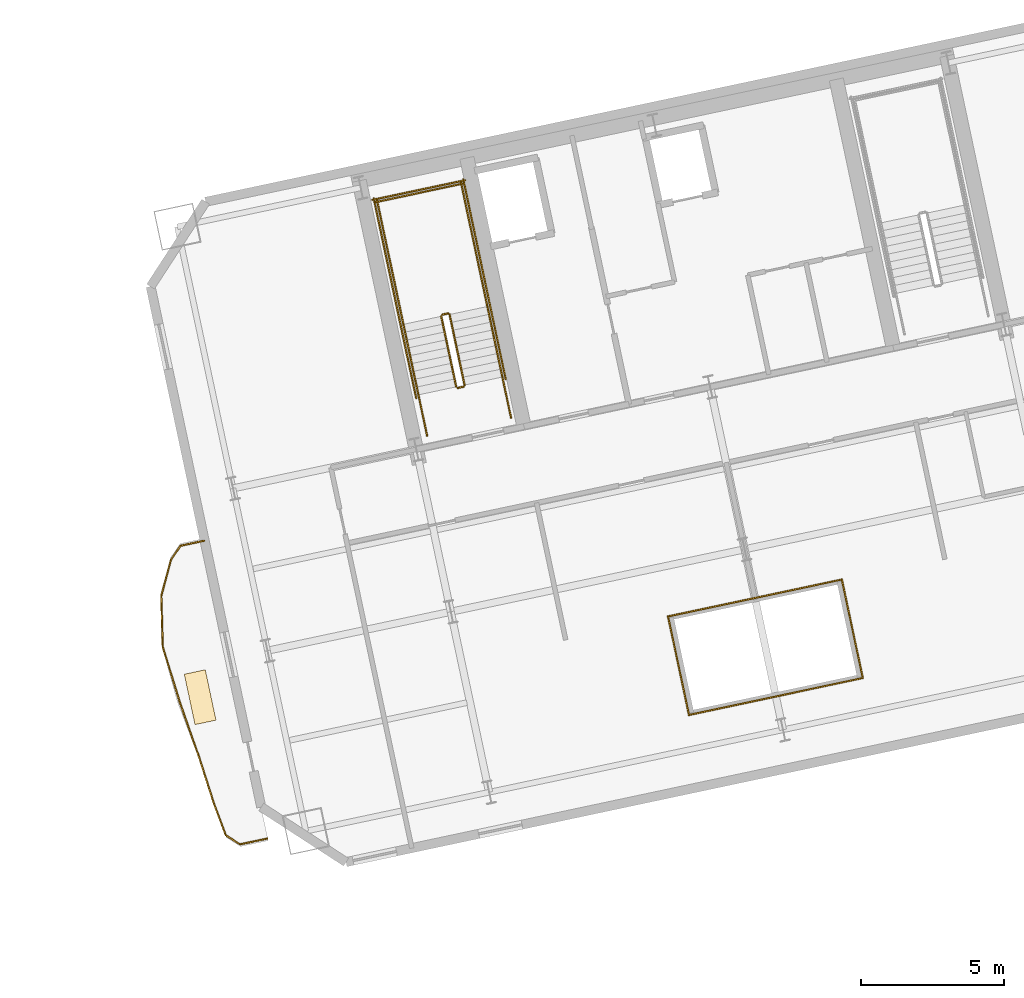
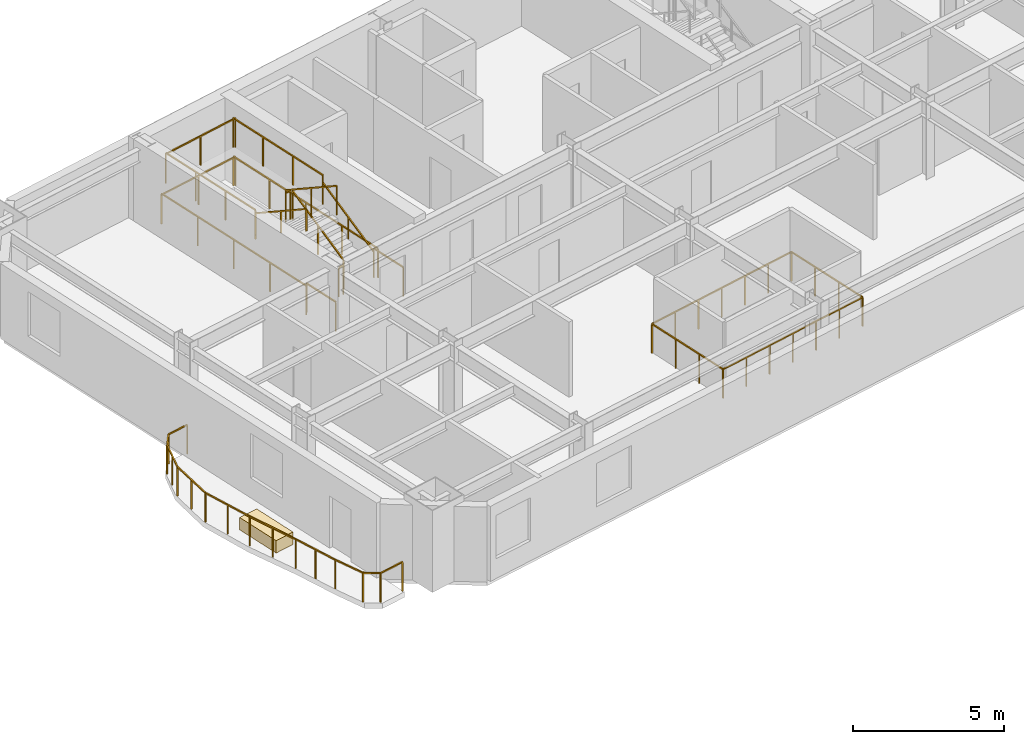
# One storey, part 12 of 13: 28 railings, 1 covering.
"""IFC4 building model written with IfcOpenShell, lengths in metres."""

from ifc_helpers import new_model, si_unit, direction, frame, origin, origin_2d, place, context, subcontext, project, spatial, rectangle, extrude, material, layer, layer_set, type_object, element, save


model = new_model("IFC4")

# Units and contexts
model_context = context("Model", 3, precision=1e-05, world=origin(), true_north=direction((0.0, 1.0)))
body_context = subcontext(model_context, "Body", "Model", "MODEL_VIEW")
ifc_project = project(units=[si_unit("LENGTHUNIT", "METRE"), si_unit("AREAUNIT", "SQUARE_METRE"), si_unit("VOLUMEUNIT", "CUBIC_METRE"), si_unit("PLANEANGLEUNIT", "RADIAN"), si_unit("MASSUNIT", "GRAM", prefix="KILO")], contexts=[model_context])

# Site, building, storey
site_placement = place(None, origin())
site = spatial("IfcSite", under=ifc_project, at=site_placement, CompositionType="ELEMENT")
building_placement = place(site_placement, origin())
building = spatial("IfcBuilding", under=site, at=building_placement, Name="Haevon Station Towers", CompositionType="ELEMENT")
storey_placement = place(building_placement, frame((0.0, 0.0, 126.300048828125)))
storey = spatial("IfcBuildingStorey", under=building, at=storey_placement, Name="L34", CompositionType="ELEMENT", Elevation=126.300048828125)

# Railings
ifc_material_1 = material(Name="Steel S355", Category="steel")
railing_type_1 = type_object("IfcRailingType", Name="BAL-ATR1200", PredefinedType="BALUSTRADE", material=ifc_material_1)
railing_1_placement = place(storey_placement, frame((108.28564453125, 28.16259765625, 0.0)))
element("IfcRailing", 1, at=railing_1_placement, inside=storey, type_object=railing_type_1, Name="L34 Atrium Void Balustrade 1", PredefinedType="BALUSTRADE", context=body_context, shape_type="SweptSolid", body=[
    extrude(rectangle(XDim=0.048095703125, YDim=0.048095703125, at=origin_2d()), frame((0.0, 0.0, 1.17578125), z_axis=(0.978152054879, 0.207890734609, 0.0), x_axis=(-0.207890734609, 0.978152054879, 0.0)), (0.0, 0.0, 1.0), 6.208984375),
    extrude(rectangle(XDim=0.0419921875, YDim=0.0419921875, at=origin_2d()), origin(), (0.0, 0.0, 1.0), 1.15185546875),
    extrude(rectangle(XDim=0.0419921875, YDim=0.0419921875, at=origin_2d()), frame((1.01220703125, 0.215087890625, 0.0)), (0.0, 0.0, 1.0), 1.15185546875),
    extrude(rectangle(XDim=0.0419921875, YDim=0.0419921875, at=origin_2d()), frame((2.0244140625, 0.43017578125, 0.0)), (0.0, 0.0, 1.0), 1.15185546875),
    extrude(rectangle(XDim=0.0419921875, YDim=0.0419921875, at=origin_2d()), frame((3.03662109375, 0.6455078125, 0.0)), (0.0, 0.0, 1.0), 1.15185546875),
    extrude(rectangle(XDim=0.0419921875, YDim=0.0419921875, at=origin_2d()), frame((4.048828125, 0.860595703125, 0.0)), (0.0, 0.0, 1.0), 1.15185546875),
    extrude(rectangle(XDim=0.0419921875, YDim=0.0419921875, at=origin_2d()), frame((5.06103515625, 1.07568359375, 0.0)), (0.0, 0.0, 1.0), 1.15185546875),
    extrude(rectangle(XDim=0.0419921875, YDim=0.0419921875, at=origin_2d()), frame((6.0732421875, 1.290771484375, 0.0)), (0.0, 0.0, 1.0), 1.15185546875),
])
railing_2_placement = place(storey_placement, frame((114.35888671875, 29.453369140625, 0.0)))
element("IfcRailing", 2, at=railing_2_placement, inside=storey, type_object=railing_type_1, Name="L34 Atrium Void Balustrade 2", PredefinedType="BALUSTRADE", context=body_context, shape_type="SweptSolid", body=[
    extrude(rectangle(XDim=0.048095703125, YDim=0.048095703125, at=origin_2d()), frame((0.0, 0.0, 1.17578125), z_axis=(-0.207964983384, 0.978136271532, 0.0), x_axis=(-0.978136271532, -0.207964983384, 0.0)), (0.0, 0.0, 1.0), 3.518310546875),
    extrude(rectangle(XDim=0.0419921875, YDim=0.0419921875, at=origin_2d()), origin(), (0.0, 0.0, 1.0), 1.15185546875),
    extrude(rectangle(XDim=0.0419921875, YDim=0.0419921875, at=origin_2d()), frame((-0.243896484375, 1.147216796875, 0.0)), (0.0, 0.0, 1.0), 1.15185546875),
    extrude(rectangle(XDim=0.0419921875, YDim=0.0419921875, at=origin_2d()), frame((-0.48779296875, 2.294189453125, 0.0)), (0.0, 0.0, 1.0), 1.15185546875),
    extrude(rectangle(XDim=0.0419921875, YDim=0.0419921875, at=origin_2d()), frame((-0.731689453125, 3.44140625, 0.0)), (0.0, 0.0, 1.0), 1.15185546875),
])
railing_3_placement = place(storey_placement, frame((113.627197265625, 32.894775390625, 0.0)))
element("IfcRailing", 3, at=railing_3_placement, inside=storey, type_object=railing_type_1, Name="L34 Atrium Void Balustrade 3", PredefinedType="BALUSTRADE", context=body_context, shape_type="SweptSolid", body=[
    extrude(rectangle(XDim=0.048095703125, YDim=0.048095703125, at=origin_2d()), frame((0.0, 0.0, 1.17578125), z_axis=(-0.978150355379, -0.20789873081, 0.0), x_axis=(0.20789873081, -0.978150355379, 0.0)), (0.0, 0.0, 1.0), 6.208740234375),
    extrude(rectangle(XDim=0.0419921875, YDim=0.0419921875, at=origin_2d()), origin(), (0.0, 0.0, 1.0), 1.15185546875),
    extrude(rectangle(XDim=0.0419921875, YDim=0.0419921875, at=origin_2d()), frame((-1.01220703125, -0.215087890625, 0.0)), (0.0, 0.0, 1.0), 1.15185546875),
    extrude(rectangle(XDim=0.0419921875, YDim=0.0419921875, at=origin_2d()), frame((-2.0244140625, -0.43017578125, 0.0)), (0.0, 0.0, 1.0), 1.15185546875),
    extrude(rectangle(XDim=0.0419921875, YDim=0.0419921875, at=origin_2d()), frame((-3.03662109375, -0.6455078125, 0.0)), (0.0, 0.0, 1.0), 1.15185546875),
    extrude(rectangle(XDim=0.0419921875, YDim=0.0419921875, at=origin_2d()), frame((-4.048583984375, -0.860595703125, 0.0)), (0.0, 0.0, 1.0), 1.15185546875),
    extrude(rectangle(XDim=0.0419921875, YDim=0.0419921875, at=origin_2d()), frame((-5.060791015625, -1.07568359375, 0.0)), (0.0, 0.0, 1.0), 1.15185546875),
    extrude(rectangle(XDim=0.0419921875, YDim=0.0419921875, at=origin_2d()), frame((-6.072998046875, -1.290771484375, 0.0)), (0.0, 0.0, 1.0), 1.15185546875),
])
railing_4_placement = place(storey_placement, frame((107.55419921875, 31.60400390625, 0.0)))
element("IfcRailing", 4, at=railing_4_placement, inside=storey, type_object=railing_type_1, Name="L34 Atrium Void Balustrade 4", PredefinedType="BALUSTRADE", context=body_context, shape_type="SweptSolid", body=[
    extrude(rectangle(XDim=0.048095703125, YDim=0.048095703125, at=origin_2d()), frame((0.0, 0.0, 1.17578125), z_axis=(0.207898592019, -0.978150384878, 0.0), x_axis=(0.978150384878, 0.207898592019, 0.0)), (0.0, 0.0, 1.0), 3.518310546875),
    extrude(rectangle(XDim=0.0419921875, YDim=0.0419921875, at=origin_2d()), origin(), (0.0, 0.0, 1.0), 1.15185546875),
    extrude(rectangle(XDim=0.0419921875, YDim=0.0419921875, at=origin_2d()), frame((0.243896484375, -1.147216796875, 0.0)), (0.0, 0.0, 1.0), 1.15185546875),
    extrude(rectangle(XDim=0.0419921875, YDim=0.0419921875, at=origin_2d()), frame((0.487548828125, -2.294189453125, 0.0)), (0.0, 0.0, 1.0), 1.15185546875),
    extrude(rectangle(XDim=0.0419921875, YDim=0.0419921875, at=origin_2d()), frame((0.7314453125, -3.44140625, 0.0)), (0.0, 0.0, 1.0), 1.15185546875),
])
railing_type_2 = type_object("IfcRailingType", Name="GRD-EXT1200", PredefinedType="GUARDRAIL", material=ifc_material_1)
railing_5_placement = place(storey_placement, frame((91.330078125, 34.251708984375, 0.0)))
element("IfcRailing", 5, at=railing_5_placement, inside=storey, type_object=railing_type_2, Name="L34 Perimeter Guardrail 1", PredefinedType="GUARDRAIL", context=body_context, shape_type="SweptSolid", body=[
    extrude(rectangle(XDim=0.048095703125, YDim=0.048095703125, at=origin_2d()), frame((0.0, 0.0, 1.17578125), z_axis=(-0.977691431104, -0.210046341426, 0.0), x_axis=(0.210046341426, -0.977691431104, 0.0)), (0.0, 0.0, 1.0), 0.838134765625),
    extrude(rectangle(XDim=0.0419921875, YDim=0.0419921875, at=origin_2d()), origin(), (0.0, 0.0, 1.0), 1.15185546875),
    extrude(rectangle(XDim=0.0419921875, YDim=0.0419921875, at=origin_2d()), frame((-0.8193359375, -0.176025390625, 0.0)), (0.0, 0.0, 1.0), 1.15185546875),
])
railing_6_placement = place(storey_placement, frame((90.5107421875, 34.07568359375, 0.0)))
element("IfcRailing", 6, at=railing_6_placement, inside=storey, type_object=railing_type_2, Name="L34 Perimeter Guardrail 2", PredefinedType="GUARDRAIL", context=body_context, shape_type="SweptSolid", body=[
    extrude(rectangle(XDim=0.048095703125, YDim=0.048095703125, at=origin_2d()), frame((0.0, 0.0, 1.17578125), z_axis=(-0.562163997885, -0.827025779212, 0.0), x_axis=(0.827025779212, -0.562163997885, 0.0)), (0.0, 0.0, 1.0), 0.594482421875),
    extrude(rectangle(XDim=0.0419921875, YDim=0.0419921875, at=origin_2d()), origin(), (0.0, 0.0, 1.0), 1.15185546875),
    extrude(rectangle(XDim=0.0419921875, YDim=0.0419921875, at=origin_2d()), frame((-0.334228515625, -0.49169921875, 0.0)), (0.0, 0.0, 1.0), 1.15185546875),
])
railing_7_placement = place(storey_placement, frame((90.176513671875, 33.583984375, 0.0)))
element("IfcRailing", 7, at=railing_7_placement, inside=storey, type_object=railing_type_2, Name="L34 Perimeter Guardrail 3", PredefinedType="GUARDRAIL", context=body_context, shape_type="SweptSolid", body=[
    extrude(rectangle(XDim=0.048095703125, YDim=0.048095703125, at=origin_2d()), frame((0.0, 0.0, 1.17578125), z_axis=(-0.257569982747, -0.966259646259, 0.0), x_axis=(0.966259646259, -0.257569982747, 0.0)), (0.0, 0.0, 1.0), 1.311767578125),
    extrude(rectangle(XDim=0.0419921875, YDim=0.0419921875, at=origin_2d()), origin(), (0.0, 0.0, 1.0), 1.15185546875),
    extrude(rectangle(XDim=0.0419921875, YDim=0.0419921875, at=origin_2d()), frame((-0.1689453125, -0.6337890625, 0.0)), (0.0, 0.0, 1.0), 1.15185546875),
    extrude(rectangle(XDim=0.0419921875, YDim=0.0419921875, at=origin_2d()), frame((-0.337890625, -1.267578125, 0.0)), (0.0, 0.0, 1.0), 1.15185546875),
])
railing_8_placement = place(storey_placement, frame((89.838623046875, 32.31640625, 0.0)))
element("IfcRailing", 8, at=railing_8_placement, inside=storey, type_object=railing_type_2, Name="L34 Perimeter Guardrail 4", PredefinedType="GUARDRAIL", context=body_context, shape_type="SweptSolid", body=[
    extrude(rectangle(XDim=0.048095703125, YDim=0.048095703125, at=origin_2d()), frame((0.0, 0.0, 1.17578125), z_axis=(0.029031117034, -0.999578508294, 0.0), x_axis=(0.999578508294, 0.029031117034, 0.0)), (0.0, 0.0, 1.0), 1.7744140625),
    extrude(rectangle(XDim=0.0419921875, YDim=0.0419921875, at=origin_2d()), origin(), (0.0, 0.0, 1.0), 1.15185546875),
    extrude(rectangle(XDim=0.0419921875, YDim=0.0419921875, at=origin_2d()), frame((0.02587890625, -0.88671875, 0.0)), (0.0, 0.0, 1.0), 1.15185546875),
    extrude(rectangle(XDim=0.0419921875, YDim=0.0419921875, at=origin_2d()), frame((0.051513671875, -1.773681640625, 0.0)), (0.0, 0.0, 1.0), 1.15185546875),
])
railing_9_placement = place(storey_placement, frame((89.89013671875, 30.542724609375, 0.0)))
element("IfcRailing", 9, at=railing_9_placement, inside=storey, type_object=railing_type_2, Name="L34 Perimeter Guardrail 5", PredefinedType="GUARDRAIL", context=body_context, shape_type="SweptSolid", body=[
    extrude(rectangle(XDim=0.048095703125, YDim=0.048095703125, at=origin_2d()), frame((0.0, 0.0, 1.17578125), z_axis=(0.294077277739, -0.955781645941, 0.0), x_axis=(0.955781645941, 0.294077277739, 0.0)), (0.0, 0.0, 1.0), 2.001708984375),
    extrude(rectangle(XDim=0.0419921875, YDim=0.0419921875, at=origin_2d()), origin(), (0.0, 0.0, 1.0), 1.15185546875),
    extrude(rectangle(XDim=0.0419921875, YDim=0.0419921875, at=origin_2d()), frame((0.29443359375, -0.95654296875, 0.0)), (0.0, 0.0, 1.0), 1.15185546875),
    extrude(rectangle(XDim=0.0419921875, YDim=0.0419921875, at=origin_2d()), frame((0.588623046875, -1.9130859375, 0.0)), (0.0, 0.0, 1.0), 1.15185546875),
])
railing_10_placement = place(storey_placement, frame((90.478759765625, 28.629638671875, 0.0)))
element("IfcRailing", 10, at=railing_10_placement, inside=storey, type_object=railing_type_2, Name="L34 Perimeter Guardrail 6", PredefinedType="GUARDRAIL", context=body_context, shape_type="SweptSolid", body=[
    extrude(rectangle(XDim=0.048095703125, YDim=0.048095703125, at=origin_2d()), frame((0.0, 0.0, 1.17578125), z_axis=(0.330946961532, -0.943649356834, 0.0), x_axis=(0.943649356834, 0.330946961532, 0.0)), (0.0, 0.0, 1.0), 2.005126953125),
    extrude(rectangle(XDim=0.0419921875, YDim=0.0419921875, at=origin_2d()), origin(), (0.0, 0.0, 1.0), 1.15185546875),
    extrude(rectangle(XDim=0.0419921875, YDim=0.0419921875, at=origin_2d()), frame((0.331787109375, -0.946044921875, 0.0)), (0.0, 0.0, 1.0), 1.15185546875),
    extrude(rectangle(XDim=0.0419921875, YDim=0.0419921875, at=origin_2d()), frame((0.66357421875, -1.89208984375, 0.0)), (0.0, 0.0, 1.0), 1.15185546875),
])
railing_11_placement = place(storey_placement, frame((91.142333984375, 26.737548828125, 0.0)))
element("IfcRailing", 11, at=railing_11_placement, inside=storey, type_object=railing_type_2, Name="L34 Perimeter Guardrail 7", PredefinedType="GUARDRAIL", context=body_context, shape_type="SweptSolid", body=[
    extrude(rectangle(XDim=0.048095703125, YDim=0.048095703125, at=origin_2d()), frame((0.0, 0.0, 1.17578125), z_axis=(0.305087966058, -0.952324174305, 0.0), x_axis=(0.952324174305, 0.305087966058, 0.0)), (0.0, 0.0, 1.0), 1.7587890625),
    extrude(rectangle(XDim=0.0419921875, YDim=0.0419921875, at=origin_2d()), origin(), (0.0, 0.0, 1.0), 1.15185546875),
    extrude(rectangle(XDim=0.0419921875, YDim=0.0419921875, at=origin_2d()), frame((0.268310546875, -0.83740234375, 0.0)), (0.0, 0.0, 1.0), 1.15185546875),
    extrude(rectangle(XDim=0.0419921875, YDim=0.0419921875, at=origin_2d()), frame((0.53662109375, -1.675048828125, 0.0)), (0.0, 0.0, 1.0), 1.15185546875),
])
railing_12_placement = place(storey_placement, frame((91.678955078125, 25.0625, 0.0)))
element("IfcRailing", 12, at=railing_12_placement, inside=storey, type_object=railing_type_2, Name="L34 Perimeter Guardrail 8", PredefinedType="GUARDRAIL", context=body_context, shape_type="SweptSolid", body=[
    extrude(rectangle(XDim=0.048095703125, YDim=0.048095703125, at=origin_2d()), frame((0.0, 0.0, 1.17578125), z_axis=(0.353653196447, -0.935376617541, 0.0), x_axis=(0.935376617541, 0.353653196447, 0.0)), (0.0, 0.0, 1.0), 1.183837890625),
    extrude(rectangle(XDim=0.0419921875, YDim=0.0419921875, at=origin_2d()), origin(), (0.0, 0.0, 1.0), 1.15185546875),
    extrude(rectangle(XDim=0.0419921875, YDim=0.0419921875, at=origin_2d()), frame((0.418701171875, -1.107421875, 0.0)), (0.0, 0.0, 1.0), 1.15185546875),
])
railing_13_placement = place(storey_placement, frame((92.09765625, 23.955078125, 0.0)))
element("IfcRailing", 13, at=railing_13_placement, inside=storey, type_object=railing_type_2, Name="L34 Perimeter Guardrail 9", PredefinedType="GUARDRAIL", context=body_context, shape_type="SweptSolid", body=[
    extrude(rectangle(XDim=0.048095703125, YDim=0.048095703125, at=origin_2d()), frame((0.0, 0.0, 1.17578125), z_axis=(0.84162602475, -0.540060769232, 0.0), x_axis=(0.540060769232, 0.84162602475, 0.0)), (0.0, 0.0, 1.0), 0.58447265625),
    extrude(rectangle(XDim=0.0419921875, YDim=0.0419921875, at=origin_2d()), origin(), (0.0, 0.0, 1.0), 1.15185546875),
    extrude(rectangle(XDim=0.0419921875, YDim=0.0419921875, at=origin_2d()), frame((0.491943359375, -0.315673828125, 0.0)), (0.0, 0.0, 1.0), 1.15185546875),
])
railing_14_placement = place(storey_placement, frame((92.589599609375, 23.639404296875, 0.0)))
element("IfcRailing", 14, at=railing_14_placement, inside=storey, type_object=railing_type_2, Name="L34 Perimeter Guardrail 10", PredefinedType="GUARDRAIL", context=body_context, shape_type="SweptSolid", body=[
    extrude(rectangle(XDim=0.048095703125, YDim=0.048095703125, at=origin_2d()), frame((0.0, 0.0, 1.17578125), z_axis=(0.978616190776, 0.20569480098, 0.0), x_axis=(-0.20569480098, 0.978616190776, 0.0)), (0.0, 0.0, 1.0), 0.974365234375),
    extrude(rectangle(XDim=0.0419921875, YDim=0.0419921875, at=origin_2d()), origin(), (0.0, 0.0, 1.0), 1.15185546875),
    extrude(rectangle(XDim=0.0419921875, YDim=0.0419921875, at=origin_2d()), frame((0.95361328125, 0.200439453125, 0.0)), (0.0, 0.0, 1.0), 1.15185546875),
])
railing_type_3 = type_object("IfcRailingType", Name="GRD-STR1200", PredefinedType="GUARDRAIL", material=ifc_material_1)
railing_15_placement = place(storey_placement, frame((100.44140625, 39.69287109375, 0.1650390625)))
element("IfcRailing", 15, at=railing_15_placement, inside=storey, type_object=railing_type_3, Name="L34 ST3 Stair Guard 1", PredefinedType="GUARDRAIL", context=body_context, shape_type="SweptSolid", body=[
    extrude(rectangle(XDim=0.048095703125, YDim=0.048095703125, at=origin_2d()), frame((0.0, 0.0, 1.17578125), z_axis=(-0.179128856099, 0.842723639875, 0.507670877349), x_axis=(-0.978147030254, -0.207914374695, 0.0)), (0.0, 0.0, 1.0), 2.9248046875),
    extrude(rectangle(XDim=0.0419921875, YDim=0.0419921875, at=origin_2d()), origin(), (0.0, 0.0, 1.0), 1.15185546875),
    extrude(rectangle(XDim=0.0419921875, YDim=0.0419921875, at=origin_2d()), frame((-0.261962890625, 1.232421875, 0.742431640625)), (0.0, 0.0, 1.0), 1.15185546875),
    extrude(rectangle(XDim=0.0419921875, YDim=0.0419921875, at=origin_2d()), frame((-0.52392578125, 2.46484375, 1.48486328125)), (0.0, 0.0, 1.0), 1.15185546875),
])
railing_16_placement = place(storey_placement, frame((99.858154296875, 42.1962890625, 1.64990234375)))
element("IfcRailing", 16, at=railing_16_placement, inside=storey, type_object=railing_type_3, Name="L34 ST3 Stair Guard 2", PredefinedType="GUARDRAIL", context=body_context, shape_type="SweptSolid", body=[
    extrude(rectangle(XDim=0.048095703125, YDim=0.048095703125, at=origin_2d()), frame((0.0, 0.0, 1.17578125), z_axis=(-0.977962931203, -0.208778603291, 0.0), x_axis=(0.208778603291, -0.977962931203, 0.0)), (0.0, 0.0, 1.0), 0.199951171875),
    extrude(rectangle(XDim=0.0419921875, YDim=0.0419921875, at=origin_2d()), origin(), (0.0, 0.0, 1.0), 1.15185546875),
    extrude(rectangle(XDim=0.0419921875, YDim=0.0419921875, at=origin_2d()), frame((-0.195556640625, -0.041748046875, 0.0)), (0.0, 0.0, 1.0), 1.15185546875),
])
railing_17_placement = place(storey_placement, frame((101.238037109375, 42.4384765625, 1.64990234375)))
element("IfcRailing", 17, at=railing_17_placement, inside=storey, type_object=railing_type_3, Name="L34 ST3 Stair Guard 3", PredefinedType="GUARDRAIL", context=body_context, shape_type="SweptSolid", body=[
    extrude(rectangle(XDim=0.048095703125, YDim=0.048095703125, at=origin_2d()), frame((0.0, 0.0, 1.17578125), z_axis=(-0.20794048909, 0.978141479029, 0.0), x_axis=(-0.978141479029, -0.20794048909, 0.0)), (0.0, 0.0, 1.0), 4.429931640625),
    extrude(rectangle(XDim=0.0419921875, YDim=0.0419921875, at=origin_2d()), origin(), (0.0, 0.0, 1.0), 1.15185546875),
    extrude(rectangle(XDim=0.0419921875, YDim=0.0419921875, at=origin_2d()), frame((-0.30712890625, 1.4443359375, 0.0)), (0.0, 0.0, 1.0), 1.15185546875),
    extrude(rectangle(XDim=0.0419921875, YDim=0.0419921875, at=origin_2d()), frame((-0.614013671875, 2.888671875, 0.0)), (0.0, 0.0, 1.0), 1.15185546875),
    extrude(rectangle(XDim=0.0419921875, YDim=0.0419921875, at=origin_2d()), frame((-0.921142578125, 4.3330078125, 0.0)), (0.0, 0.0, 1.0), 1.15185546875),
])
railing_18_placement = place(storey_placement, frame((98.303466796875, 41.814697265625, 1.64990234375)))
element("IfcRailing", 18, at=railing_18_placement, inside=storey, type_object=railing_type_3, Name="L34 ST3 Stair Guard 4", PredefinedType="GUARDRAIL", context=body_context, shape_type="SweptSolid", body=[
    extrude(rectangle(XDim=0.048095703125, YDim=0.048095703125, at=origin_2d()), frame((0.0, 0.0, 1.17578125), z_axis=(-0.207876551949, 0.978155069071, 0.0), x_axis=(-0.978155069071, -0.207876551949, 0.0)), (0.0, 0.0, 1.0), 4.429931640625),
    extrude(rectangle(XDim=0.0419921875, YDim=0.0419921875, at=origin_2d()), origin(), (0.0, 0.0, 1.0), 1.15185546875),
    extrude(rectangle(XDim=0.0419921875, YDim=0.0419921875, at=origin_2d()), frame((-0.306884765625, 1.4443359375, 0.0)), (0.0, 0.0, 1.0), 1.15185546875),
    extrude(rectangle(XDim=0.0419921875, YDim=0.0419921875, at=origin_2d()), frame((-0.614013671875, 2.888916015625, 0.0)), (0.0, 0.0, 1.0), 1.15185546875),
    extrude(rectangle(XDim=0.0419921875, YDim=0.0419921875, at=origin_2d()), frame((-0.9208984375, 4.333251953125, 0.0)), (0.0, 0.0, 1.0), 1.15185546875),
])
railing_19_placement = place(storey_placement, frame((100.376220703125, 46.733154296875, 1.64990234375)))
element("IfcRailing", 19, at=railing_19_placement, inside=storey, type_object=railing_type_3, Name="L34 ST3 Stair Guard 5", PredefinedType="GUARDRAIL", context=body_context, shape_type="SweptSolid", body=[
    extrude(rectangle(XDim=0.048095703125, YDim=0.048095703125, at=origin_2d()), frame((0.0, 0.0, 1.17578125), z_axis=(-0.978146839882, -0.207915270313, 0.0), x_axis=(0.207915270313, -0.978146839882, 0.0)), (0.0, 0.0, 1.0), 3.099853515625),
    extrude(rectangle(XDim=0.0419921875, YDim=0.0419921875, at=origin_2d()), origin(), (0.0, 0.0, 1.0), 1.15185546875),
    extrude(rectangle(XDim=0.0419921875, YDim=0.0419921875, at=origin_2d()), frame((-1.51611328125, -0.322265625, 0.0)), (0.0, 0.0, 1.0), 1.15185546875),
    extrude(rectangle(XDim=0.0419921875, YDim=0.0419921875, at=origin_2d()), frame((-3.0322265625, -0.64453125, 0.0)), (0.0, 0.0, 1.0), 1.15185546875),
])
railing_20_placement = place(storey_placement, frame((99.6240234375, 42.09521484375, 1.81494140625)))
element("IfcRailing", 20, at=railing_20_placement, inside=storey, type_object=railing_type_3, Name="L34 ST3 Stair Guard 6", PredefinedType="GUARDRAIL", context=body_context, shape_type="SweptSolid", body=[
    extrude(rectangle(XDim=0.048095703125, YDim=0.048095703125, at=origin_2d()), frame((0.0, 0.0, 1.17578125), z_axis=(0.179121265225, -0.842687928106, 0.507732831485), x_axis=(0.978147030254, 0.207914374695, 0.0)), (0.0, 0.0, 1.0), 2.925048828125),
    extrude(rectangle(XDim=0.0419921875, YDim=0.0419921875, at=origin_2d()), origin(), (0.0, 0.0, 1.0), 1.15185546875),
    extrude(rectangle(XDim=0.0419921875, YDim=0.0419921875, at=origin_2d()), frame((0.261962890625, -1.232421875, 0.74267578125)), (0.0, 0.0, 1.0), 1.15185546875),
    extrude(rectangle(XDim=0.0419921875, YDim=0.0419921875, at=origin_2d()), frame((0.52392578125, -2.46484375, 1.485107421875)), (0.0, 0.0, 1.0), 1.15185546875),
])
railing_21_placement = place(storey_placement, frame((100.40283203125, 39.633544921875, 0.0)))
element("IfcRailing", 21, at=railing_21_placement, inside=storey, type_object=railing_type_3, Name="L34 ST3 Stair Guard 7", PredefinedType="GUARDRAIL", context=body_context, shape_type="SweptSolid", body=[
    extrude(rectangle(XDim=0.048095703125, YDim=0.048095703125, at=origin_2d()), frame((0.0, 0.0, 1.17578125), z_axis=(-0.977962931203, -0.208778603291, 0.0), x_axis=(0.208778603291, -0.977962931203, 0.0)), (0.0, 0.0, 1.0), 0.199951171875),
    extrude(rectangle(XDim=0.0419921875, YDim=0.0419921875, at=origin_2d()), origin(), (0.0, 0.0, 1.0), 1.15185546875),
    extrude(rectangle(XDim=0.0419921875, YDim=0.0419921875, at=origin_2d()), frame((-0.195556640625, -0.041748046875, 0.0)), (0.0, 0.0, 1.0), 1.15185546875),
])
for number, where, name in (
    (22, (102.0634765625, 38.55517578125, 0.0), "L34 ST3 Stair Guard 8"),
    (23, (99.12890625, 37.931396484375, 0.0), "L34 ST3 Stair Guard 9"),
):
    element("IfcRailing", number, at=place(storey_placement, frame(where)), inside=storey, type_object=railing_type_3, Name=name, PredefinedType="GUARDRAIL", context=body_context, shape_type="SweptSolid", body=[
        extrude(rectangle(XDim=0.048095703125, YDim=0.048095703125, at=origin_2d()), frame((0.0, 0.0, 1.17578125), z_axis=(-0.207953405961, 0.978138732977, 0.0), x_axis=(-0.978138732977, -0.207953405961, 0.0)), (0.0, 0.0, 1.0), 1.449951171875),
        extrude(rectangle(XDim=0.0419921875, YDim=0.0419921875, at=origin_2d()), origin(), (0.0, 0.0, 1.0), 1.15185546875),
        extrude(rectangle(XDim=0.0419921875, YDim=0.0419921875, at=origin_2d()), frame((-0.301513671875, 1.418212890625, 0.0)), (0.0, 0.0, 1.0), 1.15185546875),
    ])
railing_22_placement = place(storey_placement, frame((101.88037109375, 39.896484375, 0.0)))
element("IfcRailing", 24, at=railing_22_placement, inside=storey, type_object=railing_type_3, Name="L34 ST3 Stair Guard 10", PredefinedType="GUARDRAIL", context=body_context, shape_type="SweptSolid", body=[
    extrude(rectangle(XDim=0.048095703125, YDim=0.048095703125, at=origin_2d()), frame((0.0, 0.0, 1.17578125), z_axis=(-0.207882442208, 0.978153817261, 0.0), x_axis=(-0.978153817261, -0.207882442208, 0.0)), (0.0, 0.0, 1.0), 7.14990234375),
    extrude(rectangle(XDim=0.0419921875, YDim=0.0419921875, at=origin_2d()), origin(), (0.0, 0.0, 1.0), 1.15185546875),
    extrude(rectangle(XDim=0.0419921875, YDim=0.0419921875, at=origin_2d()), frame((-0.37158203125, 1.74853515625, 0.0)), (0.0, 0.0, 1.0), 1.15185546875),
    extrude(rectangle(XDim=0.0419921875, YDim=0.0419921875, at=origin_2d()), frame((-0.7431640625, 3.496826171875, 0.0)), (0.0, 0.0, 1.0), 1.15185546875),
    extrude(rectangle(XDim=0.0419921875, YDim=0.0419921875, at=origin_2d()), frame((-1.11474609375, 5.2451171875, 0.0)), (0.0, 0.0, 1.0), 1.15185546875),
    extrude(rectangle(XDim=0.0419921875, YDim=0.0419921875, at=origin_2d()), frame((-1.486328125, 6.99365234375, 0.0)), (0.0, 0.0, 1.0), 1.15185546875),
])
railing_23_placement = place(storey_placement, frame((98.75048828125, 39.231201171875, 0.0)))
element("IfcRailing", 25, at=railing_23_placement, inside=storey, type_object=railing_type_3, Name="L34 ST3 Stair Guard 11", PredefinedType="GUARDRAIL", context=body_context, shape_type="SweptSolid", body=[
    extrude(rectangle(XDim=0.048095703125, YDim=0.048095703125, at=origin_2d()), frame((0.0, 0.0, 1.17578125), z_axis=(-0.207915112487, 0.978146873429, 0.0), x_axis=(-0.978146873429, -0.207915112487, 0.0)), (0.0, 0.0, 1.0), 7.14990234375),
    extrude(rectangle(XDim=0.0419921875, YDim=0.0419921875, at=origin_2d()), origin(), (0.0, 0.0, 1.0), 1.15185546875),
    extrude(rectangle(XDim=0.0419921875, YDim=0.0419921875, at=origin_2d()), frame((-0.37158203125, 1.74853515625, 0.0)), (0.0, 0.0, 1.0), 1.15185546875),
    extrude(rectangle(XDim=0.0419921875, YDim=0.0419921875, at=origin_2d()), frame((-0.7431640625, 3.496826171875, 0.0)), (0.0, 0.0, 1.0), 1.15185546875),
    extrude(rectangle(XDim=0.0419921875, YDim=0.0419921875, at=origin_2d()), frame((-1.114990234375, 5.2451171875, 0.0)), (0.0, 0.0, 1.0), 1.15185546875),
    extrude(rectangle(XDim=0.0419921875, YDim=0.0419921875, at=origin_2d()), frame((-1.486572265625, 6.99365234375, 0.0)), (0.0, 0.0, 1.0), 1.15185546875),
])
railing_24_placement = place(storey_placement, frame((100.453125, 46.8515625, 0.0)))
element("IfcRailing", 26, at=railing_24_placement, inside=storey, type_object=railing_type_3, Name="L34 ST3 Stair Guard 12", PredefinedType="GUARDRAIL", context=body_context, shape_type="SweptSolid", body=[
    extrude(rectangle(XDim=0.048095703125, YDim=0.048095703125, at=origin_2d()), frame((0.0, 0.0, 1.17578125), z_axis=(-0.978150764849, -0.207896804268, 0.0), x_axis=(0.207896804268, -0.978150764849, 0.0)), (0.0, 0.0, 1.0), 3.2998046875),
    extrude(rectangle(XDim=0.0419921875, YDim=0.0419921875, at=origin_2d()), origin(), (0.0, 0.0, 1.0), 1.15185546875),
    extrude(rectangle(XDim=0.0419921875, YDim=0.0419921875, at=origin_2d()), frame((-1.61376953125, -0.343017578125, 0.0)), (0.0, 0.0, 1.0), 1.15185546875),
    extrude(rectangle(XDim=0.0419921875, YDim=0.0419921875, at=origin_2d()), frame((-3.227783203125, -0.68603515625, 0.0)), (0.0, 0.0, 1.0), 1.15185546875),
])
railing_type_4 = type_object("IfcRailingType", Name="HND-STR900", PredefinedType="HANDRAIL", material=ifc_material_1)
railing_25_placement = place(storey_placement, frame((101.761962890625, 39.973388671875, 0.1650390625)))
element("IfcRailing", 27, at=railing_25_placement, inside=storey, type_object=railing_type_4, Name="L34 ST3 Stair Handrail 1", PredefinedType="HANDRAIL", context=body_context, shape_type="SweptSolid", body=[
    extrude(rectangle(XDim=0.048095703125, YDim=0.048095703125, at=origin_2d()), frame((0.0, 0.0, 0.8759765625), z_axis=(-0.179116256339, 0.842747828638, 0.507635168246), x_axis=(-0.978151217824, -0.207894673017, 0.0)), (0.0, 0.0, 1.0), 2.925048828125),
    extrude(rectangle(XDim=0.0419921875, YDim=0.0419921875, at=origin_2d()), origin(), (0.0, 0.0, 1.0), 0.851806640625),
    extrude(rectangle(XDim=0.0419921875, YDim=0.0419921875, at=origin_2d()), frame((-0.261962890625, 1.232421875, 0.742431640625)), (0.0, 0.0, 1.0), 0.851806640625),
    extrude(rectangle(XDim=0.0419921875, YDim=0.0419921875, at=origin_2d()), frame((-0.52392578125, 2.465087890625, 1.48486328125)), (0.0, 0.0, 1.0), 0.851806640625),
])
railing_26_placement = place(storey_placement, frame((98.303466796875, 41.814697265625, 1.81494140625)))
element("IfcRailing", 28, at=railing_26_placement, inside=storey, type_object=railing_type_4, Name="L34 ST3 Stair Handrail 2", PredefinedType="HANDRAIL", context=body_context, shape_type="SweptSolid", body=[
    extrude(rectangle(XDim=0.048095703125, YDim=0.048095703125, at=origin_2d()), frame((0.0, 0.0, 0.8759765625), z_axis=(0.179108667068, -0.842712120868, 0.50769712105), x_axis=(0.978151217824, 0.207894673017, 0.0)), (0.0, 0.0, 1.0), 2.92529296875),
    extrude(rectangle(XDim=0.0419921875, YDim=0.0419921875, at=origin_2d()), origin(), (0.0, 0.0, 1.0), 0.851806640625),
    extrude(rectangle(XDim=0.0419921875, YDim=0.0419921875, at=origin_2d()), frame((0.261962890625, -1.232421875, 0.74267578125)), (0.0, 0.0, 1.0), 0.851806640625),
    extrude(rectangle(XDim=0.0419921875, YDim=0.0419921875, at=origin_2d()), frame((0.52392578125, -2.465087890625, 1.485107421875)), (0.0, 0.0, 1.0), 0.851806640625),
])

# Covering
ifc_material_2 = material(Name="Architectural planter GRC", Category="concrete")
ifc_layer = layer(ifc_material_2, 0.550048828125)
ifc_layer_set = layer_set([ifc_layer], Name="Architectural planter GRC")
covering_type = type_object("IfcCoveringType", Name="PLN-GRC550", PredefinedType="MOLDING", material=ifc_layer_set)
covering_placement = place(storey_placement, frame((91.19775390625, 28.782470703125, 0.0), z_axis=(0.0, 0.0, 1.0), x_axis=(0.978147600734, 0.207911690818, 0.0)))
element("IfcCovering", 29, at=covering_placement, inside=storey, type_object=covering_type, Name="Tower 2 L34 Scalloped Balcony PLANTER", PredefinedType="MOLDING", context=body_context, shape_type="SweptSolid", body=[
    extrude(rectangle(XDim=0.75, YDim=1.800048828125, at=origin_2d()), origin(), (0.0, 0.0, 1.0), 0.5),
])

save(model, "model.ifc")
